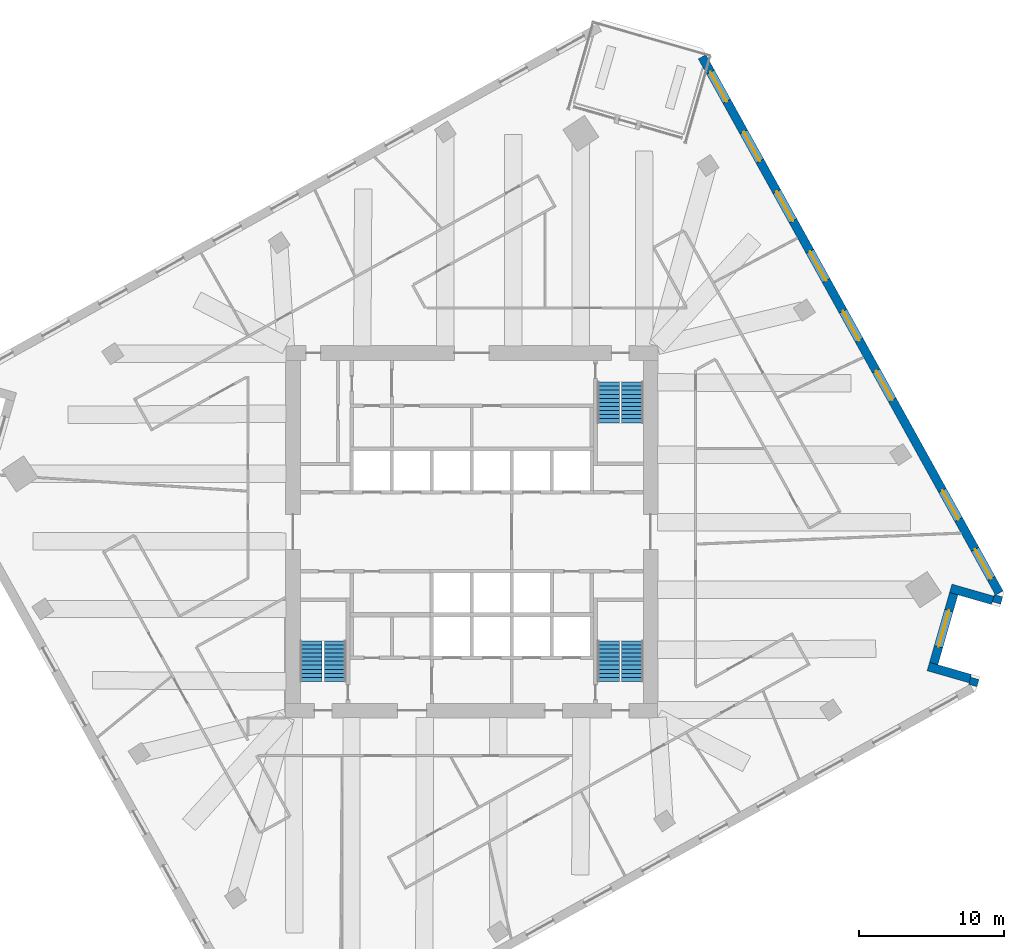
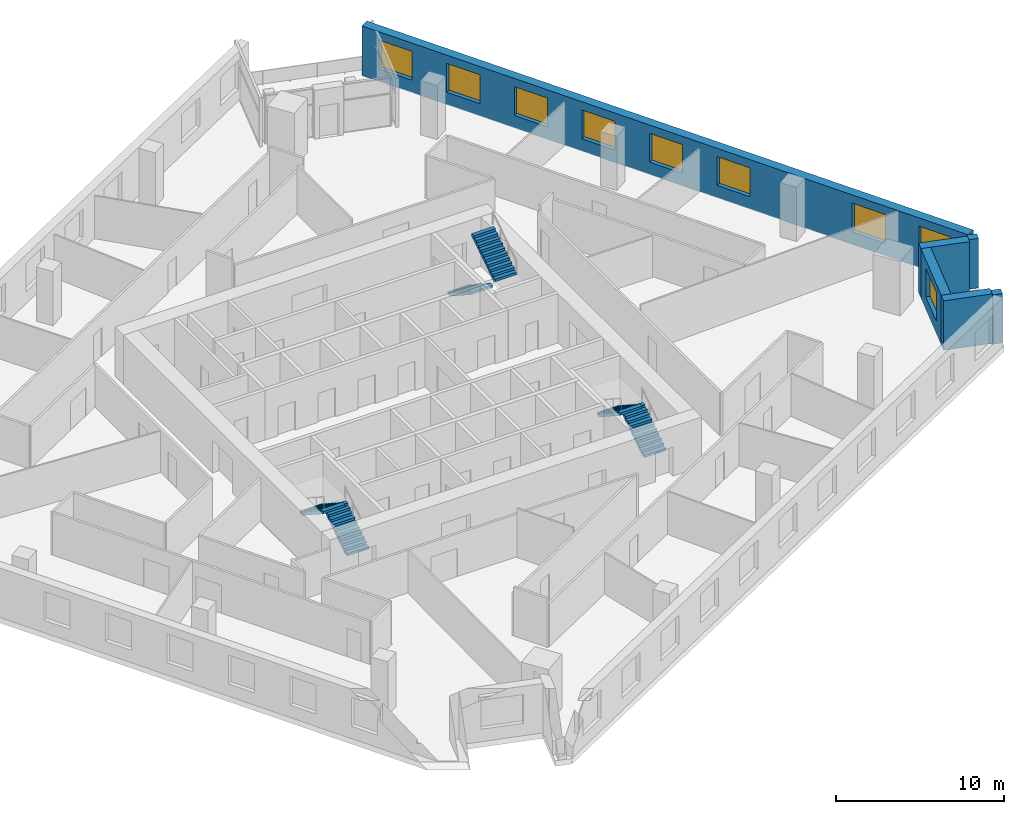
# One storey, part 9 of 11: 9 windows, 6 stair flights, 6 walls, 9 openings, 3 elements without a shape of their own.
"""IFC4 building model written with IfcOpenShell, lengths in metres."""

from ifc_helpers import new_model, si_unit, direction, frame, frame_2d, origin, place, context, subcontext, project, spatial, polyline, rectangle, outline, extrude, material, layer, layer_set, type_object, element, fill, aggregate, save


model = new_model("IFC4")

# Units and contexts
model_context = context("Model", 3, precision=1e-05, world=origin(), true_north=direction((0.0, 1.0)))
body_context = subcontext(model_context, "Body", "Model", "MODEL_VIEW")
ifc_project = project(units=[si_unit("LENGTHUNIT", "METRE"), si_unit("AREAUNIT", "SQUARE_METRE"), si_unit("VOLUMEUNIT", "CUBIC_METRE"), si_unit("PLANEANGLEUNIT", "RADIAN"), si_unit("MASSUNIT", "GRAM", prefix="KILO")], contexts=[model_context])

# Site, building, storey
site_placement = place(None, origin())
site = spatial("IfcSite", under=ifc_project, at=site_placement, CompositionType="ELEMENT")
building_placement = place(site_placement, origin())
building = spatial("IfcBuilding", under=site, at=building_placement, Name="Dilmun Exchange Tower", CompositionType="ELEMENT")
storey_placement = place(building_placement, frame((0.0, 0.0, 135.699951171875)))
storey = spatial("IfcBuildingStorey", under=building, at=storey_placement, Name="L31", CompositionType="ELEMENT", Elevation=135.699951171875)

# Walls
ifc_material_1 = material(Name="Precast concrete C50/60", Category="concrete")
ifc_layer = layer(ifc_material_1, 0.60009765625)
ifc_layer_set = layer_set([ifc_layer], Name="Precast concrete C50/60")
wall_type = type_object("IfcWallType", Name="Precast stone-clad wall 600", PredefinedType="STANDARD", material=ifc_layer_set)
wall_1_placement = place(storey_placement, frame((34.465576171875, -10.5751953125, 0.0), z_axis=(0.0, 0.0, 1.0), x_axis=(0.275667500387, 0.96125305161, 0.0)))
element("IfcWall", 1, at=wall_1_placement, inside=storey, type_object=wall_type, Name="Facade wall L31-16", PredefinedType="STANDARD", context=body_context, shape_type="SweptSolid", body=[
    extrude(rectangle(XDim=0.510986328125, YDim=0.60009765625, at=frame_2d((0.25537109375, 0.0))), origin(), (0.0, 0.0, 1.0), 3.60009765625),
])
wall_2_placement = place(storey_placement, frame((34.29052734375, -10.097412109375, 0.0), z_axis=(0.0, 0.0, 1.0), x_axis=(-0.96126248289, 0.275634611374, 0.0)))
element("IfcWall", 2, at=wall_2_placement, inside=storey, type_object=wall_type, Name="Facade wall L31-17", PredefinedType="STANDARD", context=body_context, shape_type="SweptSolid", body=[
    extrude(rectangle(XDim=3.0, YDim=0.60009765625, at=frame_2d((1.5, 0.0))), origin(), (0.0, 0.0, 1.0), 3.60009765625),
])

# Wall, opening, window
wall_3_placement = place(storey_placement, frame((31.777587890625, -9.064697265625, 0.0), z_axis=(0.0, 0.0, 1.0), x_axis=(0.275675415896, 0.961250781571, 0.0)))
wall_3 = element("IfcWall", 3, at=wall_3_placement, inside=storey, type_object=wall_type, Name="Facade wall L31-18", PredefinedType="STANDARD", context=body_context, shape_type="SweptSolid", body=[
    extrude(rectangle(XDim=5.000244140625, YDim=0.60009765625, at=frame_2d((2.5, 0.0))), origin(), (0.0, 0.0, 1.0), 3.60009765625),
])
opening_1_placement = place(wall_3_placement, frame((1.199951171875, 0.0, 0.89990234375)))
opening_1 = element("IfcOpeningElement", 4, at=opening_1_placement, cuts=wall_3, Name="Opening W260-210", PredefinedType="OPENING", context=body_context, shape_type="SweptSolid", body=[
    extrude(rectangle(XDim=2.60009765625, YDim=2.10009765625, at=frame_2d((1.300048828125, 1.050048828125))), frame((0.0, 0.31005859375, 0.0), z_axis=(0.0, -1.0, 0.0), x_axis=(1.0, 0.0, 0.0)), (0.0, 0.0, 1.0), 0.6201171875),
])
ifc_material_2 = material(Name="Clear low-emissivity glass in aluminium frame", Category="aluminium")
window_type_1 = type_object("IfcWindowType", Name="Punched window 2600 x 2100", PartitioningType="DOUBLE_PANEL_VERTICAL", PredefinedType="WINDOW", material=ifc_material_2)
window_1_placement = place(opening_1_placement, origin())
window_1 = element("IfcWindow", 5, at=window_1_placement, inside=storey, type_object=window_type_1, Name="Window 19.1", OverallHeight=2.10009765625, OverallWidth=2.60009765625, PartitioningType="SINGLE_PANEL", PredefinedType="WINDOW", context=body_context, shape_type="SweptSolid", body=[
    extrude(rectangle(XDim=2.60009765625, YDim=2.10009765625, at=frame_2d((1.300048828125, 1.050048828125))), frame((0.0, 0.030029296875, 0.0), z_axis=(0.0, -1.0, 0.0), x_axis=(1.0, 0.0, 0.0)), (0.0, 0.0, 1.0), 0.06005859375),
])
fill(opening_1, window_1)

# Walls
wall_4_placement = place(storey_placement, frame((32.9501953125, -3.88720703125, 0.0), z_axis=(0.0, 0.0, 1.0), x_axis=(0.96126248289, -0.275634611374, 0.0)))
element("IfcWall", 6, at=wall_4_placement, inside=storey, type_object=wall_type, Name="Facade wall L31-19", PredefinedType="STANDARD", context=body_context, shape_type="SweptSolid", body=[
    extrude(rectangle(XDim=3.0, YDim=0.60009765625, at=frame_2d((1.5, 0.0))), origin(), (0.0, 0.0, 1.0), 3.60009765625),
])
wall_5_placement = place(storey_placement, frame((36.0947265625, -4.89306640625, 0.0), z_axis=(0.0, 0.0, 1.0), x_axis=(0.275982153595, 0.961162759837, 0.0)))
element("IfcWall", 7, at=wall_5_placement, inside=storey, type_object=wall_type, Name="Facade wall L31-20", PredefinedType="STANDARD", context=body_context, shape_type="SweptSolid", body=[
    extrude(rectangle(XDim=0.51123046875, YDim=0.60009765625, at=frame_2d((0.255615234375, 0.0))), origin(), (0.0, 0.0, 1.0), 3.60009765625),
])

# Wall, openings, windows
wall_6_placement = place(storey_placement, frame((36.291015625, -4.209228515625, 0.0), z_axis=(0.0, 0.0, 1.0), x_axis=(-0.484811111615, 0.874618880458, 0.0)))
wall_6 = element("IfcWall", 8, at=wall_6_placement, inside=storey, type_object=wall_type, Name="Facade wall L31-21", PredefinedType="STANDARD", context=body_context, shape_type="SweptSolid", body=[
    extrude(rectangle(XDim=42.17578125, YDim=0.60009765625, at=frame_2d((21.087890625, 0.0))), origin(), (0.0, 0.0, 1.0), 3.60009765625),
])
opening_2_placement = place(wall_6_placement, frame((1.137939453125, 0.0, 0.89990234375)))
opening_2 = element("IfcOpeningElement", 9, at=opening_2_placement, cuts=wall_6, Name="Opening W230-210", PredefinedType="OPENING", context=body_context, shape_type="SweptSolid", body=[
    extrude(rectangle(XDim=2.300048828125, YDim=2.10009765625, at=frame_2d((1.14990234375, 1.050048828125))), frame((0.0, 0.31005859375, 0.0), z_axis=(0.0, -1.0, 0.0), x_axis=(1.0, 0.0, 0.0)), (0.0, 0.0, 1.0), 0.6201171875),
])
opening_3_placement = place(wall_6_placement, frame((5.775634765625, 0.0, 0.89990234375)))
opening_3 = element("IfcOpeningElement", 10, at=opening_3_placement, cuts=wall_6, Name="Opening W230-210", PredefinedType="OPENING", context=body_context, shape_type="SweptSolid", body=[
    extrude(rectangle(XDim=2.300048828125, YDim=2.10009765625, at=frame_2d((1.14990234375, 1.050048828125))), frame((0.0, 0.31005859375, 0.0), z_axis=(0.0, -1.0, 0.0), x_axis=(1.0, 0.0, 0.0)), (0.0, 0.0, 1.0), 0.6201171875),
])
opening_4_placement = place(wall_6_placement, frame((15.17578125, 0.0, 0.89990234375)))
opening_4 = element("IfcOpeningElement", 11, at=opening_4_placement, cuts=wall_6, Name="Opening W230-210", PredefinedType="OPENING", context=body_context, shape_type="SweptSolid", body=[
    extrude(rectangle(XDim=2.300048828125, YDim=2.10009765625, at=frame_2d((1.14990234375, 1.050048828125))), frame((0.0, 0.31005859375, 0.0), z_axis=(0.0, -1.0, 0.0), x_axis=(1.0, 0.0, 0.0)), (0.0, 0.0, 1.0), 0.6201171875),
])
opening_5_placement = place(wall_6_placement, frame((19.875732421875, 0.0, 0.89990234375)))
opening_5 = element("IfcOpeningElement", 12, at=opening_5_placement, cuts=wall_6, Name="Opening W230-210", PredefinedType="OPENING", context=body_context, shape_type="SweptSolid", body=[
    extrude(rectangle(XDim=2.300048828125, YDim=2.10009765625, at=frame_2d((1.14990234375, 1.050048828125))), frame((0.0, 0.31005859375, 0.0), z_axis=(0.0, -1.0, 0.0), x_axis=(1.0, 0.0, 0.0)), (0.0, 0.0, 1.0), 0.6201171875),
])
opening_6_placement = place(wall_6_placement, frame((24.57568359375, 0.0, 0.89990234375)))
opening_6 = element("IfcOpeningElement", 13, at=opening_6_placement, cuts=wall_6, Name="Opening W230-210", PredefinedType="OPENING", context=body_context, shape_type="SweptSolid", body=[
    extrude(rectangle(XDim=2.300048828125, YDim=2.10009765625, at=frame_2d((1.14990234375, 1.050048828125))), frame((0.0, 0.31005859375, 0.0), z_axis=(0.0, -1.0, 0.0), x_axis=(1.0, 0.0, 0.0)), (0.0, 0.0, 1.0), 0.6201171875),
])
opening_7_placement = place(wall_6_placement, frame((29.275634765625, 0.0, 0.89990234375)))
opening_7 = element("IfcOpeningElement", 14, at=opening_7_placement, cuts=wall_6, Name="Opening W230-210", PredefinedType="OPENING", context=body_context, shape_type="SweptSolid", body=[
    extrude(rectangle(XDim=2.300048828125, YDim=2.10009765625, at=frame_2d((1.14990234375, 1.050048828125))), frame((0.0, 0.31005859375, 0.0), z_axis=(0.0, -1.0, 0.0), x_axis=(1.0, 0.0, 0.0)), (0.0, 0.0, 1.0), 0.6201171875),
])
opening_8_placement = place(wall_6_placement, frame((33.9755859375, 0.0, 0.89990234375)))
opening_8 = element("IfcOpeningElement", 15, at=opening_8_placement, cuts=wall_6, Name="Opening W230-210", PredefinedType="OPENING", context=body_context, shape_type="SweptSolid", body=[
    extrude(rectangle(XDim=2.300048828125, YDim=2.10009765625, at=frame_2d((1.14990234375, 1.050048828125))), frame((0.0, 0.31005859375, 0.0), z_axis=(0.0, -1.0, 0.0), x_axis=(1.0, 0.0, 0.0)), (0.0, 0.0, 1.0), 0.6201171875),
])
opening_9_placement = place(wall_6_placement, frame((38.67578125, 0.0, 0.89990234375)))
opening_9 = element("IfcOpeningElement", 16, at=opening_9_placement, cuts=wall_6, Name="Opening W230-210", PredefinedType="OPENING", context=body_context, shape_type="SweptSolid", body=[
    extrude(rectangle(XDim=2.300048828125, YDim=2.10009765625, at=frame_2d((1.14990234375, 1.050048828125))), frame((0.0, 0.31005859375, 0.0), z_axis=(0.0, -1.0, 0.0), x_axis=(1.0, 0.0, 0.0)), (0.0, 0.0, 1.0), 0.6201171875),
])
window_type_2 = type_object("IfcWindowType", Name="Punched window 2300 x 2100", PartitioningType="DOUBLE_PANEL_VERTICAL", PredefinedType="WINDOW", material=ifc_material_2)
window_2_placement = place(opening_2_placement, origin())
window_2 = element("IfcWindow", 17, at=window_2_placement, inside=storey, type_object=window_type_2, Name="Window 22.1", OverallHeight=2.10009765625, OverallWidth=2.300048828125, PartitioningType="SINGLE_PANEL", PredefinedType="WINDOW", context=body_context, shape_type="SweptSolid", body=[
    extrude(rectangle(XDim=2.300048828125, YDim=2.10009765625, at=frame_2d((1.14990234375, 1.050048828125))), frame((0.0, 0.030029296875, 0.0), z_axis=(0.0, -1.0, 0.0), x_axis=(1.0, 0.0, 0.0)), (0.0, 0.0, 1.0), 0.06005859375),
])
fill(opening_2, window_2)
window_3_placement = place(opening_3_placement, origin())
window_3 = element("IfcWindow", 18, at=window_3_placement, inside=storey, type_object=window_type_2, Name="Window 22.2", OverallHeight=2.10009765625, OverallWidth=2.300048828125, PartitioningType="SINGLE_PANEL", PredefinedType="WINDOW", context=body_context, shape_type="SweptSolid", body=[
    extrude(rectangle(XDim=2.300048828125, YDim=2.10009765625, at=frame_2d((1.14990234375, 1.050048828125))), frame((0.0, 0.030029296875, 0.0), z_axis=(0.0, -1.0, 0.0), x_axis=(1.0, 0.0, 0.0)), (0.0, 0.0, 1.0), 0.06005859375),
])
fill(opening_3, window_3)
window_4_placement = place(opening_4_placement, origin())
window_4 = element("IfcWindow", 19, at=window_4_placement, inside=storey, type_object=window_type_2, Name="Window 22.4", OverallHeight=2.10009765625, OverallWidth=2.300048828125, PartitioningType="SINGLE_PANEL", PredefinedType="WINDOW", context=body_context, shape_type="SweptSolid", body=[
    extrude(rectangle(XDim=2.300048828125, YDim=2.10009765625, at=frame_2d((1.14990234375, 1.050048828125))), frame((0.0, 0.030029296875, 0.0), z_axis=(0.0, -1.0, 0.0), x_axis=(1.0, 0.0, 0.0)), (0.0, 0.0, 1.0), 0.06005859375),
])
fill(opening_4, window_4)
window_5_placement = place(opening_5_placement, origin())
window_5 = element("IfcWindow", 20, at=window_5_placement, inside=storey, type_object=window_type_2, Name="Window 22.5", OverallHeight=2.10009765625, OverallWidth=2.300048828125, PartitioningType="SINGLE_PANEL", PredefinedType="WINDOW", context=body_context, shape_type="SweptSolid", body=[
    extrude(rectangle(XDim=2.300048828125, YDim=2.10009765625, at=frame_2d((1.14990234375, 1.050048828125))), frame((0.0, 0.030029296875, 0.0), z_axis=(0.0, -1.0, 0.0), x_axis=(1.0, 0.0, 0.0)), (0.0, 0.0, 1.0), 0.06005859375),
])
fill(opening_5, window_5)
window_6_placement = place(opening_6_placement, origin())
window_6 = element("IfcWindow", 21, at=window_6_placement, inside=storey, type_object=window_type_2, Name="Window 22.6", OverallHeight=2.10009765625, OverallWidth=2.300048828125, PartitioningType="SINGLE_PANEL", PredefinedType="WINDOW", context=body_context, shape_type="SweptSolid", body=[
    extrude(rectangle(XDim=2.300048828125, YDim=2.10009765625, at=frame_2d((1.14990234375, 1.050048828125))), frame((0.0, 0.030029296875, 0.0), z_axis=(0.0, -1.0, 0.0), x_axis=(1.0, 0.0, 0.0)), (0.0, 0.0, 1.0), 0.06005859375),
])
fill(opening_6, window_6)
window_7_placement = place(opening_7_placement, origin())
window_7 = element("IfcWindow", 22, at=window_7_placement, inside=storey, type_object=window_type_2, Name="Window 22.7", OverallHeight=2.10009765625, OverallWidth=2.300048828125, PartitioningType="SINGLE_PANEL", PredefinedType="WINDOW", context=body_context, shape_type="SweptSolid", body=[
    extrude(rectangle(XDim=2.300048828125, YDim=2.10009765625, at=frame_2d((1.14990234375, 1.050048828125))), frame((0.0, 0.030029296875, 0.0), z_axis=(0.0, -1.0, 0.0), x_axis=(1.0, 0.0, 0.0)), (0.0, 0.0, 1.0), 0.06005859375),
])
fill(opening_7, window_7)
window_8_placement = place(opening_8_placement, origin())
window_8 = element("IfcWindow", 23, at=window_8_placement, inside=storey, type_object=window_type_2, Name="Window 22.8", OverallHeight=2.10009765625, OverallWidth=2.300048828125, PartitioningType="SINGLE_PANEL", PredefinedType="WINDOW", context=body_context, shape_type="SweptSolid", body=[
    extrude(rectangle(XDim=2.300048828125, YDim=2.10009765625, at=frame_2d((1.14990234375, 1.050048828125))), frame((0.0, 0.030029296875, 0.0), z_axis=(0.0, -1.0, 0.0), x_axis=(1.0, 0.0, 0.0)), (0.0, 0.0, 1.0), 0.06005859375),
])
fill(opening_8, window_8)
window_9_placement = place(opening_9_placement, origin())
window_9 = element("IfcWindow", 24, at=window_9_placement, inside=storey, type_object=window_type_2, Name="Window 22.9", OverallHeight=2.10009765625, OverallWidth=2.300048828125, PartitioningType="SINGLE_PANEL", PredefinedType="WINDOW", context=body_context, shape_type="SweptSolid", body=[
    extrude(rectangle(XDim=2.300048828125, YDim=2.10009765625, at=frame_2d((1.14990234375, 1.050048828125))), frame((0.0, 0.030029296875, 0.0), z_axis=(0.0, -1.0, 0.0), x_axis=(1.0, 0.0, 0.0)), (0.0, 0.0, 1.0), 0.06005859375),
])
fill(opening_9, window_9)

# Stair, stair flights
ifc_material_3 = material(Name="Concrete C40/50", Category="concrete")
stair_type = type_object("IfcStairType", Name="Exit stair 1500 half-turn", PredefinedType="HALF_TURN_STAIR", material=ifc_material_3)
stair_1_placement = place(storey_placement, origin())
stair_1 = element("IfcStair", 25, at=stair_1_placement, inside=storey, type_object=stair_type, Name="L31 Protected exit stair ST1", PredefinedType="HALF_TURN_STAIR")
stair_flight_type = type_object("IfcStairFlightType", Name="Exit stair flight 1500", PredefinedType="STRAIGHT", material=ifc_material_3)
stair_flight_1_placement = place(storey_placement, frame((9.39990234375, 10.300048828125, 0.0), z_axis=(0.0, 0.0, 1.0), x_axis=(0.0, -1.0, 0.0)))
stair_flight_1 = element("IfcStairFlight", 26, at=stair_flight_1_placement, type_object=stair_flight_type, Name="ST1 flight 1", NumberOfRisers=11, NumberOfTreads=10, PredefinedType="STRAIGHT", RiserHeight=0.181818182, TreadLength=0.28, context=body_context, shape_type="SweptSolid", body=[
    extrude(outline(polyline([(0.0, 0.0), (0.0, 0.181884765625), (0.280029296875, 0.181884765625), (0.280029296875, 0.363525390625), (0.56005859375, 0.363525390625), (0.56005859375, 0.54541015625), (0.840087890625, 0.54541015625), (0.840087890625, 0.727294921875), (1.1201171875, 0.727294921875), (1.1201171875, 0.9091796875), (1.39990234375, 0.9091796875), (1.39990234375, 1.0908203125), (1.679931640625, 1.0908203125), (1.679931640625, 1.272705078125), (1.9599609375, 1.272705078125), (1.9599609375, 1.45458984375), (2.239990234375, 1.45458984375), (2.239990234375, 1.636474609375), (2.52001953125, 1.636474609375), (2.52001953125, 1.818115234375), (2.800048828125, 1.818115234375), (2.800048828125, 2.0), (2.800048828125, 1.639404296875), (0.275146484375, 0.0), (0.0, 0.0)])), frame((0.0, 0.75, 0.0), z_axis=(0.0, -1.0, 0.0), x_axis=(1.0, 0.0, 0.0)), (0.0, 0.0, 1.0), 1.5),
])
stair_flight_2_placement = place(storey_placement, frame((11.050048828125, 7.5, 2.0), z_axis=(0.0, 0.0, 1.0), x_axis=(0.0, 1.0, 0.0)))
stair_flight_2 = element("IfcStairFlight", 27, at=stair_flight_2_placement, type_object=stair_flight_type, Name="ST1 flight 2", NumberOfRisers=11, NumberOfTreads=10, PredefinedType="STRAIGHT", RiserHeight=0.181818182, TreadLength=0.28, context=body_context, shape_type="SweptSolid", body=[
    extrude(outline(polyline([(0.0, 0.0), (0.0, 0.181884765625), (0.280029296875, 0.181884765625), (0.280029296875, 0.363525390625), (0.56005859375, 0.363525390625), (0.56005859375, 0.54541015625), (0.840087890625, 0.54541015625), (0.840087890625, 0.727294921875), (1.1201171875, 0.727294921875), (1.1201171875, 0.9091796875), (1.39990234375, 0.9091796875), (1.39990234375, 1.0908203125), (1.679931640625, 1.0908203125), (1.679931640625, 1.272705078125), (1.9599609375, 1.272705078125), (1.9599609375, 1.45458984375), (2.239990234375, 1.45458984375), (2.239990234375, 1.636474609375), (2.52001953125, 1.636474609375), (2.52001953125, 1.818115234375), (2.800048828125, 1.818115234375), (2.800048828125, 2.0), (2.800048828125, 1.639404296875), (0.275146484375, 0.0), (0.0, 0.0)])), frame((0.0, 0.75, 0.0), z_axis=(0.0, -1.0, 0.0), x_axis=(1.0, 0.0, 0.0)), (0.0, 0.0, 1.0), 1.5),
])
aggregate(stair_1, [stair_flight_1, stair_flight_2])

stair_2_placement = place(storey_placement, origin())
stair_2 = element("IfcStair", 28, at=stair_2_placement, inside=storey, type_object=stair_type, Name="L31 Protected exit stair ST2", PredefinedType="HALF_TURN_STAIR")
stair_flight_3_placement = place(storey_placement, frame((-9.39990234375, -10.300048828125, 0.0), z_axis=(0.0, 0.0, 1.0), x_axis=(0.0, 1.0, 0.0)))
stair_flight_3 = element("IfcStairFlight", 29, at=stair_flight_3_placement, type_object=stair_flight_type, Name="ST2 flight 1", NumberOfRisers=11, NumberOfTreads=10, PredefinedType="STRAIGHT", RiserHeight=0.181818182, TreadLength=0.28, context=body_context, shape_type="SweptSolid", body=[
    extrude(outline(polyline([(0.0, 0.0), (0.0, 0.181884765625), (0.280029296875, 0.181884765625), (0.280029296875, 0.363525390625), (0.56005859375, 0.363525390625), (0.56005859375, 0.54541015625), (0.840087890625, 0.54541015625), (0.840087890625, 0.727294921875), (1.1201171875, 0.727294921875), (1.1201171875, 0.9091796875), (1.39990234375, 0.9091796875), (1.39990234375, 1.0908203125), (1.679931640625, 1.0908203125), (1.679931640625, 1.272705078125), (1.9599609375, 1.272705078125), (1.9599609375, 1.45458984375), (2.239990234375, 1.45458984375), (2.239990234375, 1.636474609375), (2.52001953125, 1.636474609375), (2.52001953125, 1.818115234375), (2.800048828125, 1.818115234375), (2.800048828125, 2.0), (2.800048828125, 1.639404296875), (0.275146484375, 0.0), (0.0, 0.0)])), frame((0.0, 0.75, 0.0), z_axis=(0.0, -1.0, 0.0), x_axis=(1.0, 0.0, 0.0)), (0.0, 0.0, 1.0), 1.5),
])
stair_flight_4_placement = place(storey_placement, frame((-11.050048828125, -7.5, 2.0), z_axis=(0.0, 0.0, 1.0), x_axis=(0.0, -1.0, 0.0)))
stair_flight_4 = element("IfcStairFlight", 30, at=stair_flight_4_placement, type_object=stair_flight_type, Name="ST2 flight 2", NumberOfRisers=11, NumberOfTreads=10, PredefinedType="STRAIGHT", RiserHeight=0.181818182, TreadLength=0.28, context=body_context, shape_type="SweptSolid", body=[
    extrude(outline(polyline([(0.0, 0.0), (0.0, 0.181884765625), (0.280029296875, 0.181884765625), (0.280029296875, 0.363525390625), (0.56005859375, 0.363525390625), (0.56005859375, 0.54541015625), (0.840087890625, 0.54541015625), (0.840087890625, 0.727294921875), (1.1201171875, 0.727294921875), (1.1201171875, 0.9091796875), (1.39990234375, 0.9091796875), (1.39990234375, 1.0908203125), (1.679931640625, 1.0908203125), (1.679931640625, 1.272705078125), (1.9599609375, 1.272705078125), (1.9599609375, 1.45458984375), (2.239990234375, 1.45458984375), (2.239990234375, 1.636474609375), (2.52001953125, 1.636474609375), (2.52001953125, 1.818115234375), (2.800048828125, 1.818115234375), (2.800048828125, 2.0), (2.800048828125, 1.639404296875), (0.275146484375, 0.0), (0.0, 0.0)])), frame((0.0, 0.75, 0.0), z_axis=(0.0, -1.0, 0.0), x_axis=(1.0, 0.0, 0.0)), (0.0, 0.0, 1.0), 1.5),
])
aggregate(stair_2, [stair_flight_3, stair_flight_4])

stair_3_placement = place(storey_placement, origin())
stair_3 = element("IfcStair", 31, at=stair_3_placement, inside=storey, type_object=stair_type, Name="L31 Protected exit stair ST3", PredefinedType="HALF_TURN_STAIR")
stair_flight_5_placement = place(storey_placement, frame((11.050048828125, -10.300048828125, 0.0), z_axis=(0.0, 0.0, 1.0), x_axis=(0.0, 1.0, 0.0)))
stair_flight_5 = element("IfcStairFlight", 32, at=stair_flight_5_placement, type_object=stair_flight_type, Name="ST3 flight 1", NumberOfRisers=11, NumberOfTreads=10, PredefinedType="STRAIGHT", RiserHeight=0.181818182, TreadLength=0.28, context=body_context, shape_type="SweptSolid", body=[
    extrude(outline(polyline([(0.0, 0.0), (0.0, 0.181884765625), (0.280029296875, 0.181884765625), (0.280029296875, 0.363525390625), (0.56005859375, 0.363525390625), (0.56005859375, 0.54541015625), (0.840087890625, 0.54541015625), (0.840087890625, 0.727294921875), (1.1201171875, 0.727294921875), (1.1201171875, 0.9091796875), (1.39990234375, 0.9091796875), (1.39990234375, 1.0908203125), (1.679931640625, 1.0908203125), (1.679931640625, 1.272705078125), (1.9599609375, 1.272705078125), (1.9599609375, 1.45458984375), (2.239990234375, 1.45458984375), (2.239990234375, 1.636474609375), (2.52001953125, 1.636474609375), (2.52001953125, 1.818115234375), (2.800048828125, 1.818115234375), (2.800048828125, 2.0), (2.800048828125, 1.639404296875), (0.275146484375, 0.0), (0.0, 0.0)])), frame((0.0, 0.75, 0.0), z_axis=(0.0, -1.0, 0.0), x_axis=(1.0, 0.0, 0.0)), (0.0, 0.0, 1.0), 1.5),
])
stair_flight_6_placement = place(storey_placement, frame((9.39990234375, -7.5, 2.0), z_axis=(0.0, 0.0, 1.0), x_axis=(0.0, -1.0, 0.0)))
stair_flight_6 = element("IfcStairFlight", 33, at=stair_flight_6_placement, type_object=stair_flight_type, Name="ST3 flight 2", NumberOfRisers=11, NumberOfTreads=10, PredefinedType="STRAIGHT", RiserHeight=0.181818182, TreadLength=0.28, context=body_context, shape_type="SweptSolid", body=[
    extrude(outline(polyline([(0.0, 0.0), (0.0, 0.181884765625), (0.280029296875, 0.181884765625), (0.280029296875, 0.363525390625), (0.56005859375, 0.363525390625), (0.56005859375, 0.54541015625), (0.840087890625, 0.54541015625), (0.840087890625, 0.727294921875), (1.1201171875, 0.727294921875), (1.1201171875, 0.9091796875), (1.39990234375, 0.9091796875), (1.39990234375, 1.0908203125), (1.679931640625, 1.0908203125), (1.679931640625, 1.272705078125), (1.9599609375, 1.272705078125), (1.9599609375, 1.45458984375), (2.239990234375, 1.45458984375), (2.239990234375, 1.636474609375), (2.52001953125, 1.636474609375), (2.52001953125, 1.818115234375), (2.800048828125, 1.818115234375), (2.800048828125, 2.0), (2.800048828125, 1.639404296875), (0.275146484375, 0.0), (0.0, 0.0)])), frame((0.0, 0.75, 0.0), z_axis=(0.0, -1.0, 0.0), x_axis=(1.0, 0.0, 0.0)), (0.0, 0.0, 1.0), 1.5),
])
aggregate(stair_3, [stair_flight_5, stair_flight_6])

save(model, "model.ifc")
